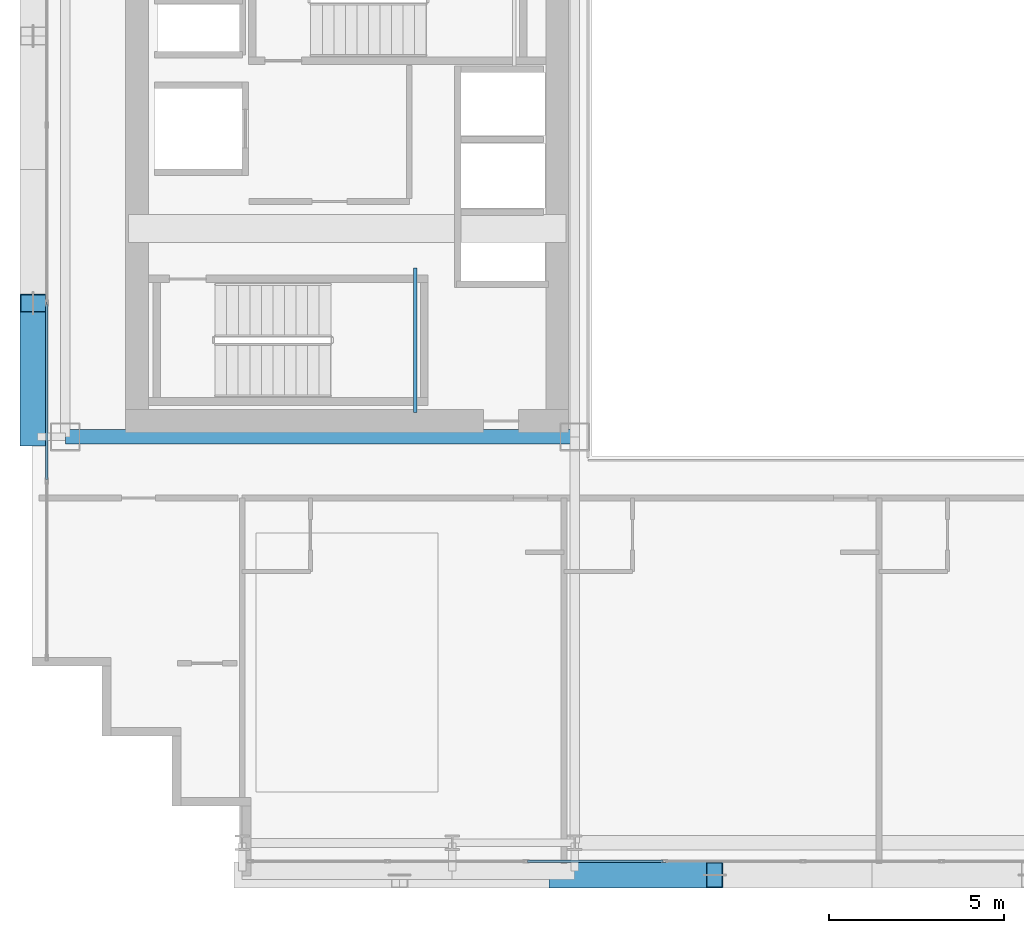
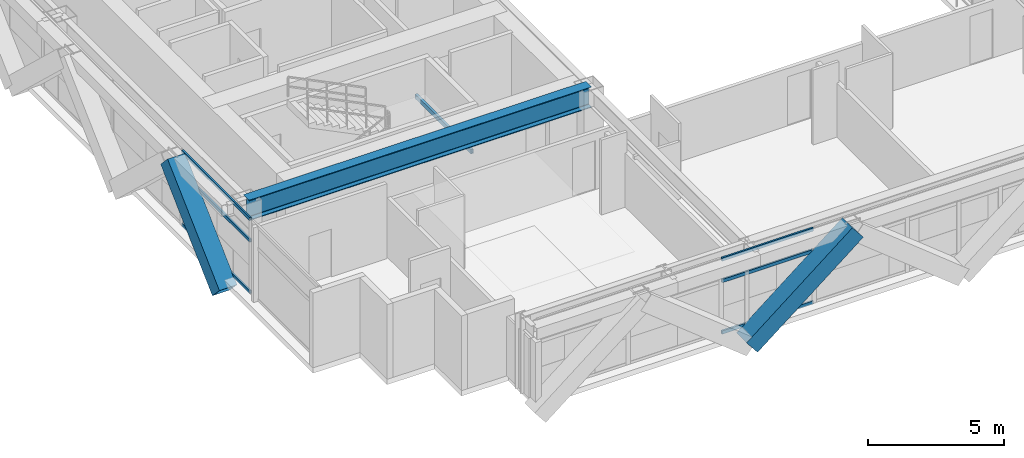
# One storey, part 4 of 34: 8 members, 2 beams, 2 elements without a shape of their own.
"""IFC4 building model written with IfcOpenShell, lengths in metres."""

from ifc_helpers import new_model, si_unit, direction, frame, origin, origin_2d, place, context, subcontext, project, spatial, hollow_rectangle, i_section, extrude, source, transform, mapped, material, layer, layer_set, material_profile, profile_set, type_object, element, aggregate, save


model = new_model("IFC4")

# Units and contexts
model_context = context("Model", 3, precision=1e-05, world=origin(), true_north=direction((0.0, 1.0)))
body_context = subcontext(model_context, "Body", "Model", "MODEL_VIEW")
ifc_project = project(units=[si_unit("LENGTHUNIT", "METRE"), si_unit("AREAUNIT", "SQUARE_METRE"), si_unit("VOLUMEUNIT", "CUBIC_METRE"), si_unit("PLANEANGLEUNIT", "RADIAN"), si_unit("MASSUNIT", "GRAM", prefix="KILO")], contexts=[model_context])

# Site, building, storey
site_placement = place(None, origin())
site = spatial("IfcSite", under=ifc_project, at=site_placement, CompositionType="ELEMENT")
building_placement = place(site_placement, origin())
building = spatial("IfcBuilding", under=site, at=building_placement, Name="Ocotamira Hotel", CompositionType="ELEMENT")
storey_placement = place(building_placement, frame((0.0, 0.0, 111.60009765625)))
storey = spatial("IfcBuildingStorey", under=building, at=storey_placement, Name="L27", CompositionType="ELEMENT", Elevation=111.60009765625)

# Beams
ifc_material_1 = material(Name="Steel ASTM A500 Grade C", Category="steel")
ifc_material_profile_1 = material_profile(ifc_material_1, hollow_rectangle(XDim=0.10009765625, YDim=0.199951171875, WallThickness=0.008056640625, at=origin_2d()), Name="HSS200X100X8")
ifc_profile_set_1 = profile_set([ifc_material_profile_1], Name="Steel ASTM A500 Grade C")
beam_type_1 = type_object("IfcBeamType", Name="BM-STLDG-HSS200", PredefinedType="BEAM", material=ifc_profile_set_1)
shared_shape_1 = source(origin(), body_context, "Body", "SweptSolid", [
    extrude(hollow_rectangle(XDim=0.10009765625, YDim=0.199951171875, WallThickness=0.008056640625, at=origin_2d()), origin(), (0.0, 0.0, 1.0), 4.1201171875),
])
beam_1_placement = place(storey_placement, frame((18.949951171875, 15.25, 1.5), z_axis=(0.0, 1.0, 0.0), x_axis=(-1.0, 0.0, 0.0)))
element("IfcBeam", 1, at=beam_1_placement, inside=storey, type_object=beam_type_1, Name="L27 Stair ST-1 Landing Bearer 1", PredefinedType="BEAM", context=body_context, shape_type="MappedRepresentation", body=[
    mapped(shared_shape_1, transform((0.0, 0.0, 0.0), scale=1.0)),
])
ifc_material_2 = material(Name="Steel ASTM A992 Grade 50", Category="steel")
ifc_material_profile_2 = material_profile(ifc_material_2, i_section(OverallWidth=0.41796875, OverallDepth=0.927001953125, WebThickness=0.019287109375, FlangeThickness=0.031982421875, FilletRadius=0.02392578125, at=origin_2d()), Name="W36X231")
ifc_profile_set_2 = profile_set([ifc_material_profile_2], Name="Steel ASTM A992 Grade 50")
beam_type_2 = type_object("IfcBeamType", Name="BM-GIRD-W36X231", PredefinedType="BEAM", material=ifc_profile_set_2)
shared_shape_2 = source(origin(), body_context, "Body", "SweptSolid", [
    extrude(i_section(OverallWidth=0.41796875, OverallDepth=0.927001953125, WebThickness=0.019287109375, FlangeThickness=0.031982421875, FilletRadius=0.02392578125, at=origin_2d()), origin(), (0.0, 0.0, 1.0), 14.550048828125),
])
beam_2_placement = place(storey_placement, frame((8.949951171875, 14.550048828125, 2.896484375), z_axis=(1.0, 0.0, 0.0), x_axis=(0.0, 1.0, 0.0)))
element("IfcBeam", 2, at=beam_2_placement, inside=storey, type_object=beam_type_2, Name="L27 Girder Y14.55 X8.95-23.5", PredefinedType="BEAM", context=body_context, shape_type="MappedRepresentation", body=[
    mapped(shared_shape_2, transform((0.0, 0.0, 0.0), scale=1.0)),
])

# Members
ifc_material_3 = material(Name="Pale-metal coated steel ASTM A913 Grade 65", Category="steel")
ifc_material_profile_3 = material_profile(ifc_material_3, hollow_rectangle(XDim=0.75, YDim=0.75, WallThickness=0.028076171875, at=origin_2d()), Name="BOX750X750X28")
ifc_profile_set_3 = profile_set([ifc_material_profile_3], Name="Pale-metal coated steel ASTM A913 Grade 65")
member_type_1 = type_object("IfcMemberType", Name="MEM-EXO-BOX750", PredefinedType="BRACE", material=ifc_profile_set_3)
shared_shape_3 = source(origin(), body_context, "Body", "SweptSolid", [
    extrude(hollow_rectangle(XDim=0.75, YDim=0.75, WallThickness=0.028076171875, at=origin_2d()), origin(), (0.0, 0.0, 1.0), 5.24658203125),
])
member_1_placement = place(storey_placement, frame((8.030029296875, 14.550048828125, -0.489990234375), z_axis=(0.0, 0.72746596067, 0.686143772154), x_axis=(-1.0, 0.0, 0.0)))
element("IfcMember", 3, at=member_1_placement, inside=storey, type_object=member_type_1, Name="L27 Exoskeleton Diagrid W0.1", PredefinedType="BRACE", context=body_context, shape_type="MappedRepresentation", body=[
    mapped(shared_shape_3, transform((0.0, 0.0, 0.0), scale=1.0)),
])
shared_shape_4 = source(origin(), body_context, "Body", "SweptSolid", [
    extrude(hollow_rectangle(XDim=0.75, YDim=0.75, WallThickness=0.028076171875, at=origin_2d()), origin(), (0.0, 0.0, 1.0), 5.7626953125),
])
member_2_placement = place(storey_placement, frame((23.0, 2.030029296875, -0.489990234375), z_axis=(0.780881208953, 0.0, 0.624679547852), x_axis=(0.0, 1.0, 0.0)))
element("IfcMember", 4, at=member_2_placement, inside=storey, type_object=member_type_1, Name="L27 Exoskeleton Diagrid S1.1", PredefinedType="BRACE", context=body_context, shape_type="MappedRepresentation", body=[
    mapped(shared_shape_4, transform((0.0, 0.0, 0.0), scale=1.0)),
])

# Curtain wall, members
ifc_material_4 = material(Name="Anodised pale-metal aluminium and solar glass", Category="aluminium")
ifc_layer = layer(ifc_material_4, 0.179931640625)
ifc_layer_set = layer_set([ifc_layer], Name="Anodised pale-metal aluminium and solar glass")
curtain_wall_type = type_object("IfcCurtainWallType", Name="CW-SYS3-Z2", PredefinedType="NOTDEFINED", material=ifc_layer_set)
curtain_wall_1_placement = place(storey_placement, origin())
curtain_wall_1 = element("IfcCurtainWall", 5, at=curtain_wall_1_placement, inside=storey, type_object=curtain_wall_type, Name="L27 Curtain Wall CW-3 CW-L27-S1", PredefinedType="NOTDEFINED")
ifc_material_5 = material(Name="Anodised pale-metal aluminium 6063-T6", Category="aluminium")
ifc_material_profile_4 = material_profile(ifc_material_5, hollow_rectangle(XDim=0.074951171875, YDim=0.14990234375, WallThickness=0.006103515625, at=origin_2d()), Name="HSS150X75X6")
ifc_profile_set_4 = profile_set([ifc_material_profile_4], Name="Anodised pale-metal aluminium 6063-T6")
member_type_2 = type_object("IfcMemberType", Name="CWT-150X75", PredefinedType="USERDEFINED", material=ifc_profile_set_4)
shared_shape_5 = source(origin(), body_context, "Body", "SweptSolid", [
    extrude(hollow_rectangle(XDim=0.074951171875, YDim=0.14990234375, WallThickness=0.006103515625, at=origin_2d()), origin(), (0.0, 0.0, 1.0), 3.87548828125),
])
member_3_placement = place(storey_placement, frame((22.151123046875, 2.419921875, 0.037353515625), z_axis=(1.0, 0.0, 0.0), x_axis=(0.0, 1.0, 0.0)))
member_3 = element("IfcMember", 6, at=member_3_placement, type_object=member_type_2, Name="CW-3 transom 3.1", ObjectType="TRANSOM", PredefinedType="USERDEFINED", context=body_context, shape_type="MappedRepresentation", body=[
    mapped(shared_shape_5, transform((0.0, 0.0, 0.0), scale=1.0)),
])
member_4_placement = place(storey_placement, frame((22.151123046875, 2.419921875, 2.349853515625), z_axis=(1.0, 0.0, 0.0), x_axis=(0.0, 1.0, 0.0)))
member_4 = element("IfcMember", 7, at=member_4_placement, type_object=member_type_2, Name="CW-3 transom 3.2", ObjectType="TRANSOM", PredefinedType="USERDEFINED", context=body_context, shape_type="MappedRepresentation", body=[
    mapped(shared_shape_5, transform((0.0, 0.0, 0.0), scale=1.0)),
])
member_5_placement = place(storey_placement, frame((22.151123046875, 2.419921875, 3.322509765625), z_axis=(1.0, 0.0, 0.0), x_axis=(0.0, 1.0, 0.0)))
member_5 = element("IfcMember", 8, at=member_5_placement, type_object=member_type_2, Name="CW-3 transom 3.3", ObjectType="TRANSOM", PredefinedType="USERDEFINED", context=body_context, shape_type="MappedRepresentation", body=[
    mapped(shared_shape_5, transform((0.0, 0.0, 0.0), scale=1.0)),
])
aggregate(curtain_wall_1, [member_3, member_4, member_5])

curtain_wall_2_placement = place(storey_placement, origin())
curtain_wall_2 = element("IfcCurtainWall", 9, at=curtain_wall_2_placement, inside=storey, type_object=curtain_wall_type, Name="L27 Curtain Wall CW-3 CW-L27-W", PredefinedType="NOTDEFINED")
shared_shape_6 = source(origin(), body_context, "Body", "SweptSolid", [
    extrude(hollow_rectangle(XDim=0.074951171875, YDim=0.14990234375, WallThickness=0.006103515625, at=origin_2d()), origin(), (0.0, 0.0, 1.0), 5.005859375),
])
member_6_placement = place(storey_placement, frame((8.419921875, 13.32568359375, 0.037353515625), z_axis=(0.0, 1.0, 0.0), x_axis=(-1.0, 0.0, 0.0)))
member_6 = element("IfcMember", 10, at=member_6_placement, type_object=member_type_2, Name="CW-3 transom 2.1", ObjectType="TRANSOM", PredefinedType="USERDEFINED", context=body_context, shape_type="MappedRepresentation", body=[
    mapped(shared_shape_6, transform((0.0, 0.0, 0.0), scale=1.0)),
])
member_7_placement = place(storey_placement, frame((8.419921875, 13.32568359375, 2.349853515625), z_axis=(0.0, 1.0, 0.0), x_axis=(-1.0, 0.0, 0.0)))
member_7 = element("IfcMember", 11, at=member_7_placement, type_object=member_type_2, Name="CW-3 transom 2.2", ObjectType="TRANSOM", PredefinedType="USERDEFINED", context=body_context, shape_type="MappedRepresentation", body=[
    mapped(shared_shape_6, transform((0.0, 0.0, 0.0), scale=1.0)),
])
member_8_placement = place(storey_placement, frame((8.419921875, 13.32568359375, 3.322509765625), z_axis=(0.0, 1.0, 0.0), x_axis=(-1.0, 0.0, 0.0)))
member_8 = element("IfcMember", 12, at=member_8_placement, type_object=member_type_2, Name="CW-3 transom 2.3", ObjectType="TRANSOM", PredefinedType="USERDEFINED", context=body_context, shape_type="MappedRepresentation", body=[
    mapped(shared_shape_6, transform((0.0, 0.0, 0.0), scale=1.0)),
])
aggregate(curtain_wall_2, [member_6, member_7, member_8])

save(model, "model.ifc")
